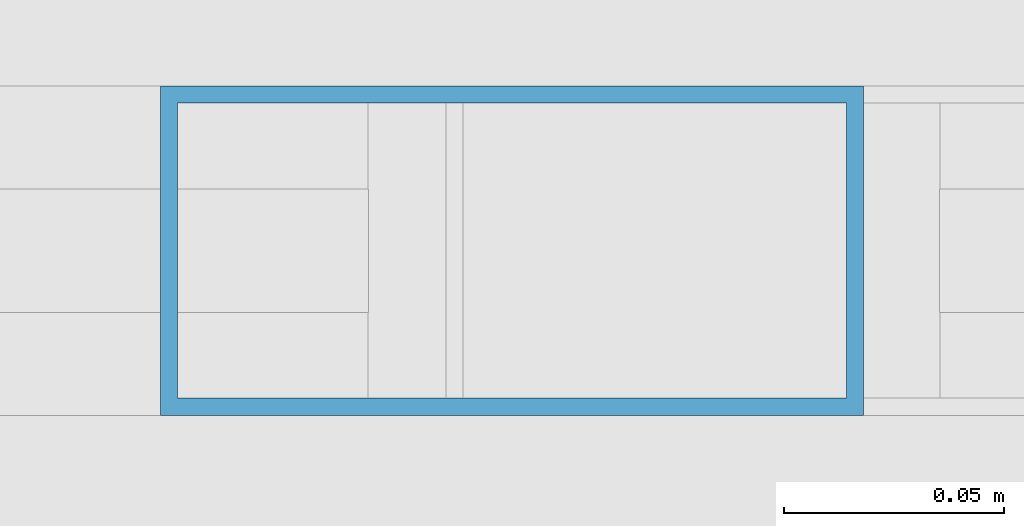
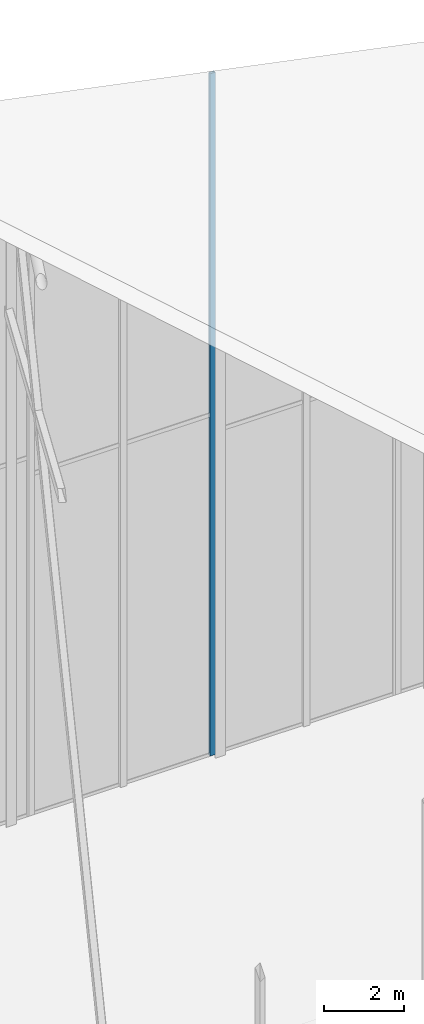
# One storey, part 52 of 74: 1 member, 1 element without a shape of its own.
"""IFC4 building model written with IfcOpenShell, lengths in metres."""

from ifc_helpers import new_model, si_unit, direction, frame, origin, origin_2d, place, context, subcontext, project, spatial, hollow_rectangle, extrude, material, layer, layer_set, material_profile, profile_set, type_object, element, aggregate, save


model = new_model("IFC4")

# Units and contexts
model_context = context("Model", 3, precision=1e-05, world=origin(), true_north=direction((0.0, 1.0)))
body_context = subcontext(model_context, "Body", "Model", "MODEL_VIEW")
ifc_project = project(units=[si_unit("LENGTHUNIT", "METRE"), si_unit("AREAUNIT", "SQUARE_METRE"), si_unit("VOLUMEUNIT", "CUBIC_METRE"), si_unit("PLANEANGLEUNIT", "RADIAN"), si_unit("MASSUNIT", "GRAM", prefix="KILO")], contexts=[model_context])

# Site, building, storey
site_placement = place(None, origin())
site = spatial("IfcSite", under=ifc_project, at=site_placement, CompositionType="ELEMENT")
building_placement = place(site_placement, origin())
building = spatial("IfcBuilding", under=site, at=building_placement, Name="Keshet Zoharim Tower", CompositionType="ELEMENT")
storey_placement = place(building_placement, frame((0.0, 0.0, 320.0)))
storey = spatial("IfcBuildingStorey", under=building, at=storey_placement, Name="RF", CompositionType="ELEMENT", Elevation=320.0)

# Curtain wall, member
ifc_material = material(Name="Aluminium 6063-T6", Category="aluminium")
ifc_layer = layer(ifc_material, 0.260009765625)
ifc_layer_set = layer_set([ifc_layer], Name="Aluminium 6063-T6")
curtain_wall_type = type_object("IfcCurtainWallType", Name="CW-SYS-06", PredefinedType="NOTDEFINED", material=ifc_layer_set)
curtain_wall_placement = place(storey_placement, origin())
curtain_wall = element("IfcCurtainWall", 1, at=curtain_wall_placement, inside=storey, type_object=curtain_wall_type, Name="Slanted Crown Curtain Wall 12", PredefinedType="NOTDEFINED")
ifc_material_profile = material_profile(ifc_material, hollow_rectangle(XDim=0.074951171875, YDim=0.159912109375, WallThickness=0.00390625, at=origin_2d()), Name="MUL-75x160")
ifc_profile_set = profile_set([ifc_material_profile], Name="Aluminium 6063-T6")
member_type = type_object("IfcMemberType", Name="CWM-M15", PredefinedType="MULLION", material=ifc_profile_set)
member_placement = place(storey_placement, frame((26.859619140625, 53.89990234375, 0.0), z_axis=(0.0, 0.0, 1.0), x_axis=(0.0, 1.0, 0.0)))
member = element("IfcMember", 2, at=member_placement, type_object=member_type, Name="CW-06 mullion 3", PredefinedType="MULLION", context=body_context, shape_type="SweptSolid", body=[
    extrude(hollow_rectangle(XDim=0.074951171875, YDim=0.159912109375, WallThickness=0.00390625, at=origin_2d()), origin(), (0.0, 0.0, 1.0), 20.718994140625),
])
aggregate(curtain_wall, [member])

save(model, "model.ifc")
